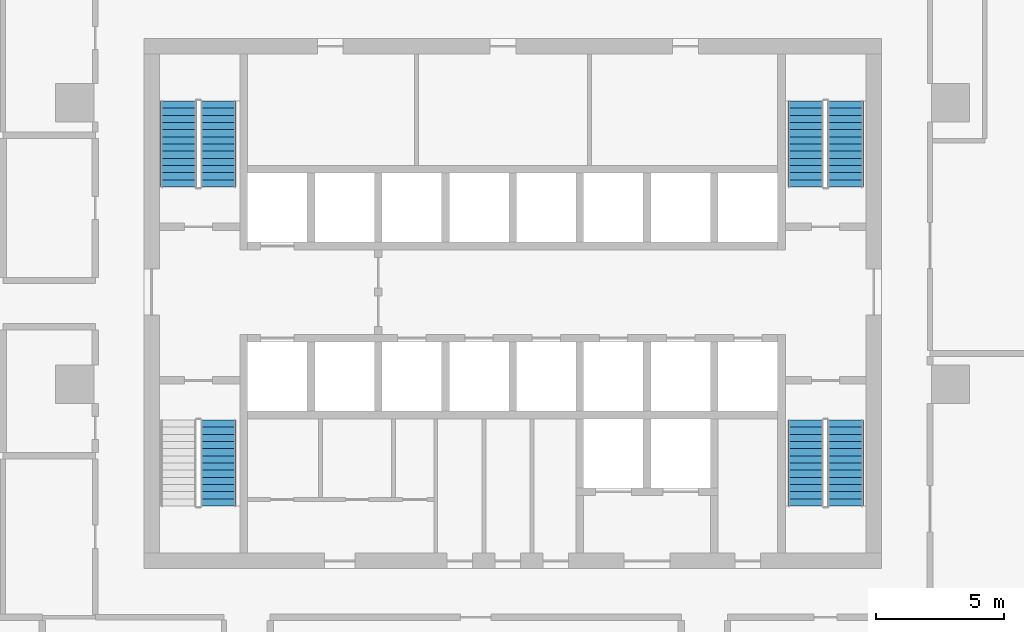
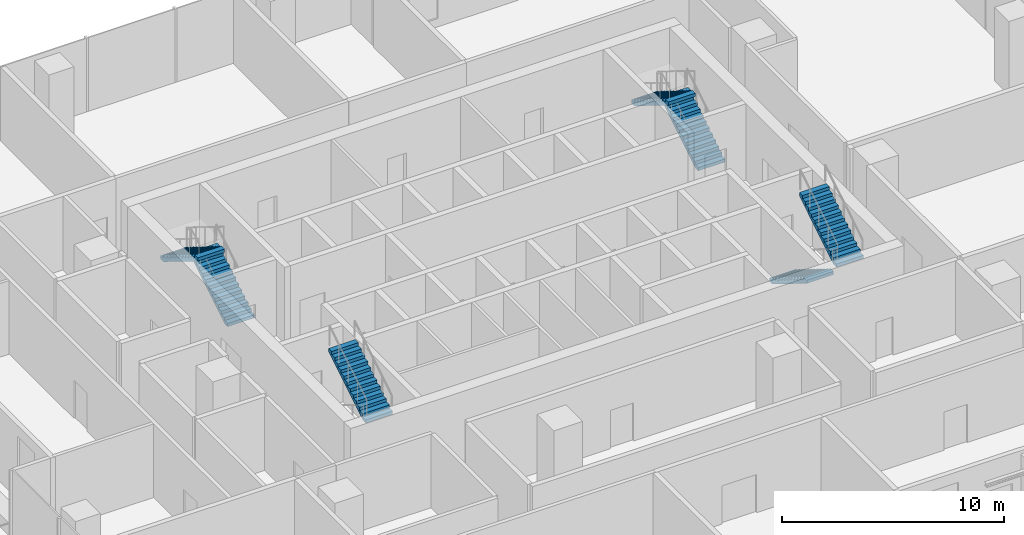
# One storey, part 11 of 15: 7 stair flights, 4 elements without a shape of their own.
"""IFC4 building model written with IfcOpenShell, lengths in metres."""

from ifc_helpers import new_model, si_unit, direction, frame, origin, place, context, subcontext, project, spatial, polyline, outline, extrude, material, type_object, element, aggregate, save


model = new_model("IFC4")

# Units and contexts
model_context = context("Model", 3, precision=1e-05, world=origin(), true_north=direction((0.0, 1.0)))
body_context = subcontext(model_context, "Body", "Model", "MODEL_VIEW")
ifc_project = project(units=[si_unit("LENGTHUNIT", "METRE"), si_unit("AREAUNIT", "SQUARE_METRE"), si_unit("VOLUMEUNIT", "CUBIC_METRE"), si_unit("PLANEANGLEUNIT", "RADIAN"), si_unit("MASSUNIT", "GRAM", prefix="KILO")], contexts=[model_context])

# Site, building, storey
site_placement = place(None, origin())
site = spatial("IfcSite", under=ifc_project, at=site_placement, CompositionType="ELEMENT")
building_placement = place(site_placement, origin())
building = spatial("IfcBuilding", under=site, at=building_placement, Name="Mopane Tessera Tower", CompositionType="ELEMENT")
storey_placement = place(building_placement, frame((0.0, 0.0, 112.60009765625)))
storey = spatial("IfcBuildingStorey", under=building, at=storey_placement, Name="L22", CompositionType="ELEMENT", Elevation=112.60009765625)

# Stair, stair flight
ifc_material_1 = material(Name="Concrete C50/60", Category="concrete")
stair_type = type_object("IfcStairType", Name="Escape stair 1400 mm, riser 173 mm", PredefinedType="HALF_TURN_STAIR", material=ifc_material_1)
stair_1_placement = place(storey_placement, origin())
stair_1 = element("IfcStair", 1, at=stair_1_placement, inside=storey, type_object=stair_type, Name="L22 Escape stair south-west", PredefinedType="HALF_TURN_STAIR")
ifc_material_2 = material(Name="Concrete C50/60", Category="concrete")
stair_flight_type = type_object("IfcStairFlightType", Name="Escape stair flight 1400 mm", PredefinedType="STRAIGHT", material=ifc_material_2)
stair_flight_1_placement = place(storey_placement, frame((-11.5, -4.760009765625, 2.25), z_axis=(0.0, 0.0, 1.0), x_axis=(0.0, 1.0, 0.0)))
stair_flight_1 = element("IfcStairFlight", 2, at=stair_flight_1_placement, type_object=stair_flight_type, Name="ST1 flight 2", NumberOfRisers=13, NumberOfTreads=12, PredefinedType="STRAIGHT", RiserHeight=0.173076923, TreadLength=0.28, context=body_context, shape_type="SweptSolid", body=[
    extrude(outline(polyline([(0.0, 0.0), (0.0, 0.173095703125), (0.280029296875, 0.173095703125), (0.280029296875, 0.34619140625), (0.56005859375, 0.34619140625), (0.56005859375, 0.519287109375), (0.840087890625, 0.519287109375), (0.840087890625, 0.6923828125), (1.1201171875, 0.6923828125), (1.1201171875, 0.865478515625), (1.39990234375, 0.865478515625), (1.39990234375, 1.03857421875), (1.679931640625, 1.03857421875), (1.679931640625, 1.21142578125), (1.9599609375, 1.21142578125), (1.9599609375, 1.384521484375), (2.239990234375, 1.384521484375), (2.239990234375, 1.5576171875), (2.52001953125, 1.5576171875), (2.52001953125, 1.730712890625), (2.800048828125, 1.730712890625), (2.800048828125, 1.90380859375), (3.080078125, 1.90380859375), (3.080078125, 2.076904296875), (3.360107421875, 2.076904296875), (3.360107421875, 2.25), (3.360107421875, 1.900634765625), (0.28515625, 0.0), (0.0, 0.0)])), frame((0.0, 0.699951171875, 0.0), z_axis=(0.0, -1.0, 0.0), x_axis=(1.0, 0.0, 0.0)), (0.0, 0.0, 1.0), 1.39990234375),
])
aggregate(stair_1, [stair_flight_1])

# Stair, stair flights
stair_2_placement = place(storey_placement, origin())
stair_2 = element("IfcStair", 3, at=stair_2_placement, inside=storey, type_object=stair_type, Name="L22 Escape stair north-west", PredefinedType="HALF_TURN_STAIR")
stair_flight_2_placement = place(storey_placement, frame((-11.5, 7.699951171875, 0.0), z_axis=(0.0, 0.0, 1.0), x_axis=(0.0, 1.0, 0.0)))
stair_flight_2 = element("IfcStairFlight", 4, at=stair_flight_2_placement, type_object=stair_flight_type, Name="ST2 flight 1", NumberOfRisers=13, NumberOfTreads=12, PredefinedType="STRAIGHT", RiserHeight=0.173076923, TreadLength=0.28, context=body_context, shape_type="SweptSolid", body=[
    extrude(outline(polyline([(0.0, 0.0), (0.0, 0.173095703125), (0.280029296875, 0.173095703125), (0.280029296875, 0.34619140625), (0.56005859375, 0.34619140625), (0.56005859375, 0.519287109375), (0.840087890625, 0.519287109375), (0.840087890625, 0.6923828125), (1.1201171875, 0.6923828125), (1.1201171875, 0.865478515625), (1.39990234375, 0.865478515625), (1.39990234375, 1.03857421875), (1.679931640625, 1.03857421875), (1.679931640625, 1.21142578125), (1.9599609375, 1.21142578125), (1.9599609375, 1.384521484375), (2.239990234375, 1.384521484375), (2.239990234375, 1.5576171875), (2.52001953125, 1.5576171875), (2.52001953125, 1.730712890625), (2.800048828125, 1.730712890625), (2.800048828125, 1.90380859375), (3.080078125, 1.90380859375), (3.080078125, 2.076904296875), (3.360107421875, 2.076904296875), (3.360107421875, 2.25), (3.360107421875, 1.900634765625), (0.28515625, 0.0), (0.0, 0.0)])), frame((0.0, 0.699951171875, 0.0), z_axis=(0.0, -1.0, 0.0), x_axis=(1.0, 0.0, 0.0)), (0.0, 0.0, 1.0), 1.39990234375),
])
stair_flight_3_placement = place(storey_placement, frame((-13.050048828125, 11.06005859375, 2.25), z_axis=(0.0, 0.0, 1.0), x_axis=(0.0, -1.0, 0.0)))
stair_flight_3 = element("IfcStairFlight", 5, at=stair_flight_3_placement, type_object=stair_flight_type, Name="ST2 flight 2", NumberOfRisers=13, NumberOfTreads=12, PredefinedType="STRAIGHT", RiserHeight=0.173076923, TreadLength=0.28, context=body_context, shape_type="SweptSolid", body=[
    extrude(outline(polyline([(0.0, 0.0), (0.0, 0.173095703125), (0.280029296875, 0.173095703125), (0.280029296875, 0.34619140625), (0.56005859375, 0.34619140625), (0.56005859375, 0.519287109375), (0.840087890625, 0.519287109375), (0.840087890625, 0.6923828125), (1.1201171875, 0.6923828125), (1.1201171875, 0.865478515625), (1.39990234375, 0.865478515625), (1.39990234375, 1.03857421875), (1.679931640625, 1.03857421875), (1.679931640625, 1.21142578125), (1.9599609375, 1.21142578125), (1.9599609375, 1.384521484375), (2.239990234375, 1.384521484375), (2.239990234375, 1.5576171875), (2.52001953125, 1.5576171875), (2.52001953125, 1.730712890625), (2.800048828125, 1.730712890625), (2.800048828125, 1.90380859375), (3.080078125, 1.90380859375), (3.080078125, 2.076904296875), (3.360107421875, 2.076904296875), (3.360107421875, 2.25), (3.360107421875, 1.900634765625), (0.28515625, 0.0), (0.0, 0.0)])), frame((0.0, 0.699951171875, 0.0), z_axis=(0.0, -1.0, 0.0), x_axis=(1.0, 0.0, 0.0)), (0.0, 0.0, 1.0), 1.39990234375),
])
aggregate(stair_2, [stair_flight_2, stair_flight_3])

stair_3_placement = place(storey_placement, origin())
stair_3 = element("IfcStair", 6, at=stair_3_placement, inside=storey, type_object=stair_type, Name="L22 Escape stair south-east", PredefinedType="HALF_TURN_STAIR")
stair_flight_4_placement = place(storey_placement, frame((11.449951171875, -1.39990234375, 0.0), z_axis=(0.0, 0.0, 1.0), x_axis=(0.0, -1.0, 0.0)))
stair_flight_4 = element("IfcStairFlight", 7, at=stair_flight_4_placement, type_object=stair_flight_type, Name="ST3 flight 1", NumberOfRisers=13, NumberOfTreads=12, PredefinedType="STRAIGHT", RiserHeight=0.173076923, TreadLength=0.28, context=body_context, shape_type="SweptSolid", body=[
    extrude(outline(polyline([(0.0, 0.0), (0.0, 0.173095703125), (0.280029296875, 0.173095703125), (0.280029296875, 0.34619140625), (0.56005859375, 0.34619140625), (0.56005859375, 0.519287109375), (0.840087890625, 0.519287109375), (0.840087890625, 0.6923828125), (1.1201171875, 0.6923828125), (1.1201171875, 0.865478515625), (1.39990234375, 0.865478515625), (1.39990234375, 1.03857421875), (1.679931640625, 1.03857421875), (1.679931640625, 1.21142578125), (1.9599609375, 1.21142578125), (1.9599609375, 1.384521484375), (2.239990234375, 1.384521484375), (2.239990234375, 1.5576171875), (2.52001953125, 1.5576171875), (2.52001953125, 1.730712890625), (2.800048828125, 1.730712890625), (2.800048828125, 1.90380859375), (3.080078125, 1.90380859375), (3.080078125, 2.076904296875), (3.360107421875, 2.076904296875), (3.360107421875, 2.25), (3.360107421875, 1.900634765625), (0.28515625, 0.0), (0.0, 0.0)])), frame((0.0, 0.699951171875, 0.0), z_axis=(0.0, -1.0, 0.0), x_axis=(1.0, 0.0, 0.0)), (0.0, 0.0, 1.0), 1.39990234375),
])
stair_flight_5_placement = place(storey_placement, frame((13.0, -4.760009765625, 2.25), z_axis=(0.0, 0.0, 1.0), x_axis=(0.0, 1.0, 0.0)))
stair_flight_5 = element("IfcStairFlight", 8, at=stair_flight_5_placement, type_object=stair_flight_type, Name="ST3 flight 2", NumberOfRisers=13, NumberOfTreads=12, PredefinedType="STRAIGHT", RiserHeight=0.173076923, TreadLength=0.28, context=body_context, shape_type="SweptSolid", body=[
    extrude(outline(polyline([(0.0, 0.0), (0.0, 0.173095703125), (0.280029296875, 0.173095703125), (0.280029296875, 0.34619140625), (0.56005859375, 0.34619140625), (0.56005859375, 0.519287109375), (0.840087890625, 0.519287109375), (0.840087890625, 0.6923828125), (1.1201171875, 0.6923828125), (1.1201171875, 0.865478515625), (1.39990234375, 0.865478515625), (1.39990234375, 1.03857421875), (1.679931640625, 1.03857421875), (1.679931640625, 1.21142578125), (1.9599609375, 1.21142578125), (1.9599609375, 1.384521484375), (2.239990234375, 1.384521484375), (2.239990234375, 1.5576171875), (2.52001953125, 1.5576171875), (2.52001953125, 1.730712890625), (2.800048828125, 1.730712890625), (2.800048828125, 1.90380859375), (3.080078125, 1.90380859375), (3.080078125, 2.076904296875), (3.360107421875, 2.076904296875), (3.360107421875, 2.25), (3.360107421875, 1.900634765625), (0.28515625, 0.0), (0.0, 0.0)])), frame((0.0, 0.699951171875, 0.0), z_axis=(0.0, -1.0, 0.0), x_axis=(1.0, 0.0, 0.0)), (0.0, 0.0, 1.0), 1.39990234375),
])
aggregate(stair_3, [stair_flight_4, stair_flight_5])

stair_4_placement = place(storey_placement, origin())
stair_4 = element("IfcStair", 9, at=stair_4_placement, inside=storey, type_object=stair_type, Name="L22 Escape stair north-east", PredefinedType="HALF_TURN_STAIR")
stair_flight_6_placement = place(storey_placement, frame((13.0, 7.699951171875, 0.0), z_axis=(0.0, 0.0, 1.0), x_axis=(0.0, 1.0, 0.0)))
stair_flight_6 = element("IfcStairFlight", 10, at=stair_flight_6_placement, type_object=stair_flight_type, Name="ST4 flight 1", NumberOfRisers=13, NumberOfTreads=12, PredefinedType="STRAIGHT", RiserHeight=0.173076923, TreadLength=0.28, context=body_context, shape_type="SweptSolid", body=[
    extrude(outline(polyline([(0.0, 0.0), (0.0, 0.173095703125), (0.280029296875, 0.173095703125), (0.280029296875, 0.34619140625), (0.56005859375, 0.34619140625), (0.56005859375, 0.519287109375), (0.840087890625, 0.519287109375), (0.840087890625, 0.6923828125), (1.1201171875, 0.6923828125), (1.1201171875, 0.865478515625), (1.39990234375, 0.865478515625), (1.39990234375, 1.03857421875), (1.679931640625, 1.03857421875), (1.679931640625, 1.21142578125), (1.9599609375, 1.21142578125), (1.9599609375, 1.384521484375), (2.239990234375, 1.384521484375), (2.239990234375, 1.5576171875), (2.52001953125, 1.5576171875), (2.52001953125, 1.730712890625), (2.800048828125, 1.730712890625), (2.800048828125, 1.90380859375), (3.080078125, 1.90380859375), (3.080078125, 2.076904296875), (3.360107421875, 2.076904296875), (3.360107421875, 2.25), (3.360107421875, 1.900634765625), (0.28515625, 0.0), (0.0, 0.0)])), frame((0.0, 0.699951171875, 0.0), z_axis=(0.0, -1.0, 0.0), x_axis=(1.0, 0.0, 0.0)), (0.0, 0.0, 1.0), 1.39990234375),
])
stair_flight_7_placement = place(storey_placement, frame((11.449951171875, 11.06005859375, 2.25), z_axis=(0.0, 0.0, 1.0), x_axis=(0.0, -1.0, 0.0)))
stair_flight_7 = element("IfcStairFlight", 11, at=stair_flight_7_placement, type_object=stair_flight_type, Name="ST4 flight 2", NumberOfRisers=13, NumberOfTreads=12, PredefinedType="STRAIGHT", RiserHeight=0.173076923, TreadLength=0.28, context=body_context, shape_type="SweptSolid", body=[
    extrude(outline(polyline([(0.0, 0.0), (0.0, 0.173095703125), (0.280029296875, 0.173095703125), (0.280029296875, 0.34619140625), (0.56005859375, 0.34619140625), (0.56005859375, 0.519287109375), (0.840087890625, 0.519287109375), (0.840087890625, 0.6923828125), (1.1201171875, 0.6923828125), (1.1201171875, 0.865478515625), (1.39990234375, 0.865478515625), (1.39990234375, 1.03857421875), (1.679931640625, 1.03857421875), (1.679931640625, 1.21142578125), (1.9599609375, 1.21142578125), (1.9599609375, 1.384521484375), (2.239990234375, 1.384521484375), (2.239990234375, 1.5576171875), (2.52001953125, 1.5576171875), (2.52001953125, 1.730712890625), (2.800048828125, 1.730712890625), (2.800048828125, 1.90380859375), (3.080078125, 1.90380859375), (3.080078125, 2.076904296875), (3.360107421875, 2.076904296875), (3.360107421875, 2.25), (3.360107421875, 1.900634765625), (0.28515625, 0.0), (0.0, 0.0)])), frame((0.0, 0.699951171875, 0.0), z_axis=(0.0, -1.0, 0.0), x_axis=(1.0, 0.0, 0.0)), (0.0, 0.0, 1.0), 1.39990234375),
])
aggregate(stair_4, [stair_flight_6, stair_flight_7])

save(model, "model.ifc")
